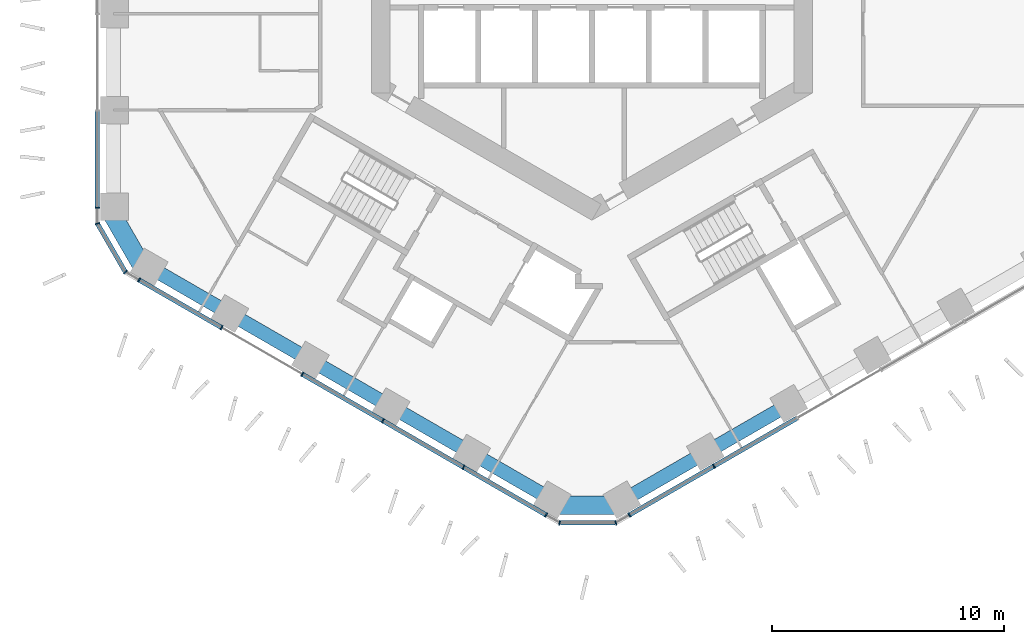
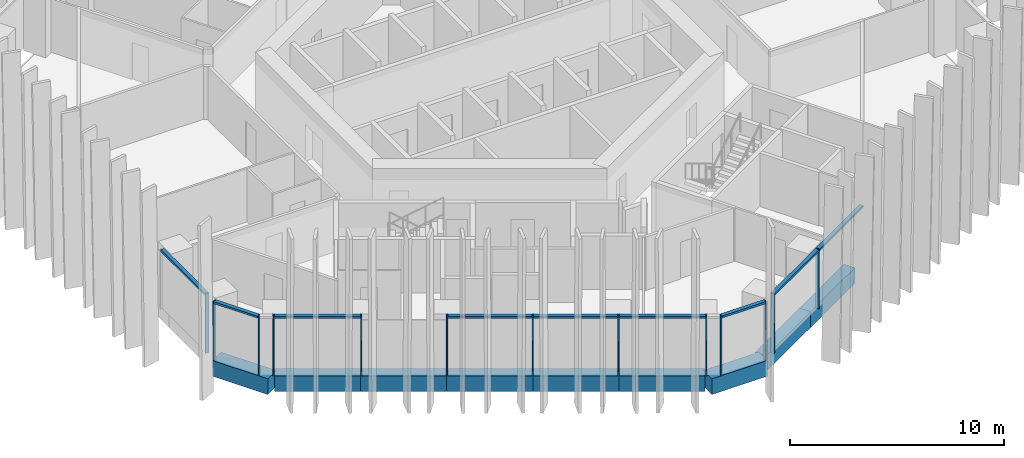
# One storey, part 2 of 20: 19 members, 9 beams, 5 elements without a shape of their own.
"""IFC4 building model written with IfcOpenShell, lengths in metres."""

from ifc_helpers import new_model, si_unit, direction, frame, origin, origin_2d, place, context, subcontext, project, spatial, rectangle, extrude, material, layer, layer_set, material_profile, profile_set, type_object, element, aggregate, save


model = new_model("IFC4")

# Units and contexts
model_context = context("Model", 3, precision=1e-05, world=origin(), true_north=direction((0.0, 1.0)))
body_context = subcontext(model_context, "Body", "Model", "MODEL_VIEW")
ifc_project = project(units=[si_unit("LENGTHUNIT", "METRE"), si_unit("AREAUNIT", "SQUARE_METRE"), si_unit("VOLUMEUNIT", "CUBIC_METRE"), si_unit("PLANEANGLEUNIT", "RADIAN"), si_unit("MASSUNIT", "GRAM", prefix="KILO")], contexts=[model_context])

# Site, building, storey
site_placement = place(None, origin())
site = spatial("IfcSite", under=ifc_project, at=site_placement, CompositionType="ELEMENT")
building_placement = place(site_placement, origin())
building = spatial("IfcBuilding", under=site, at=building_placement, Name="Ayvan Gate Tower", CompositionType="ELEMENT")
storey_placement = place(building_placement, frame((0.0, 0.0, 35.699951171875)))
storey = spatial("IfcBuildingStorey", under=building, at=storey_placement, Name="L08", CompositionType="ELEMENT", Elevation=35.699951171875)

# Beams
ifc_material_1 = material(Name="Concrete C40/50", Category="concrete")
ifc_material_profile_1 = material_profile(ifc_material_1, rectangle(XDim=0.800048828125, YDim=0.89990234375, at=origin_2d()), Name="RC 800x900")
ifc_profile_set_1 = profile_set([ifc_material_profile_1], Name="Concrete C40/50")
beam_type_1 = type_object("IfcBeamType", Name="Corner spandrel beam RC 800x900 C40/50", PredefinedType="BEAM", material=ifc_profile_set_1)
for number, where, z_axis, x_axis, name in (
    (1, (-20.81103515625, -10.47265625, -0.800048828125), (0.499990139034, -0.866031096941, 0.0), (0.866031096941, 0.499990139034, 0.0), "SB-L08-24"),
    (2, (-1.6640625, -23.25927734375, -0.800048828125), (1.0, 0.0, 0.0), (0.0, 1.0, 0.0), "SB-L08-30"),
):
    element("IfcBeam", number, at=place(storey_placement, frame(where, z_axis=z_axis, x_axis=x_axis)), inside=storey, type_object=beam_type_1, Name=name, PredefinedType="BEAM", context=body_context, shape_type="SweptSolid", body=[
        extrude(rectangle(XDim=0.800048828125, YDim=0.89990234375, at=origin_2d()), origin(), (0.0, 0.0, 1.0), 3.0),
    ])
ifc_material_profile_2 = material_profile(ifc_material_1, rectangle(XDim=0.60009765625, YDim=0.89990234375, at=origin_2d()), Name="RC 600x900")
ifc_profile_set_2 = profile_set([ifc_material_profile_2], Name="Concrete C40/50")
beam_type_2 = type_object("IfcBeamType", Name="Spandrel beam RC 600x900 C40/50", PredefinedType="BEAM", material=ifc_profile_set_2)
beam_1_placement = place(storey_placement, frame((-19.12060546875, -12.960693359375, -0.800048828125), z_axis=(0.866017175291, -0.500014251897, 0.0), x_axis=(0.500014251897, 0.866017175291, 0.0)))
element("IfcBeam", 3, at=beam_1_placement, inside=storey, type_object=beam_type_2, Name="SB-L08-25", PredefinedType="BEAM", context=body_context, shape_type="SweptSolid", body=[
    extrude(rectangle(XDim=0.60009765625, YDim=0.89990234375, at=origin_2d()), origin(), (0.0, 0.0, 1.0), 4.03173828125),
])
for number, where, z_axis, x_axis, name in (
    (4, (-15.629150390625, -14.9765625, -0.800048828125), (0.866028258222, -0.499995055936, 0.0), (0.499995055936, 0.866028258222, 0.0), "SB-L08-26"),
    (5, (-12.137939453125, -16.9921875, -0.800048828125), (0.866028258222, -0.499995055936, 0.0), (0.499995055936, 0.866028258222, 0.0), "SB-L08-27"),
):
    element("IfcBeam", number, at=place(storey_placement, frame(where, z_axis=z_axis, x_axis=x_axis)), inside=storey, type_object=beam_type_2, Name=name, PredefinedType="BEAM", context=body_context, shape_type="SweptSolid", body=[
        extrude(rectangle(XDim=0.60009765625, YDim=0.89990234375, at=origin_2d()), origin(), (0.0, 0.0, 1.0), 4.03125),
    ])
for number, where, z_axis, x_axis, name in (
    (6, (-8.646728515625, -19.0078125, -0.800048828125), (0.866043397086, -0.499968833392, 0.0), (0.499968833392, 0.866043397086, 0.0), "SB-L08-28"),
    (7, (-5.1552734375, -21.0234375, -0.800048828125), (0.866002034136, -0.500040475235, 0.0), (0.500040475235, 0.866002034136, 0.0), "SB-L08-29"),
):
    element("IfcBeam", number, at=place(storey_placement, frame(where, z_axis=z_axis, x_axis=x_axis)), inside=storey, type_object=beam_type_2, Name=name, PredefinedType="BEAM", context=body_context, shape_type="SweptSolid", body=[
        extrude(rectangle(XDim=0.60009765625, YDim=0.89990234375, at=origin_2d()), origin(), (0.0, 0.0, 1.0), 4.031494140625),
    ])
beam_2_placement = place(storey_placement, frame((1.3359375, -23.039306640625, -0.800048828125), z_axis=(0.866034543039, 0.499984170012, 0.0), x_axis=(-0.499984170012, 0.866034543039, 0.0)))
element("IfcBeam", 8, at=beam_2_placement, inside=storey, type_object=beam_type_2, Name="SB-L08-31", PredefinedType="BEAM", context=body_context, shape_type="SweptSolid", body=[
    extrude(rectangle(XDim=0.60009765625, YDim=0.89990234375, at=origin_2d()), origin(), (0.0, 0.0, 1.0), 4.145263671875),
])
beam_3_placement = place(storey_placement, frame((4.92578125, -20.966796875, -0.800048828125), z_axis=(0.866019818373, 0.500009674092, 0.0), x_axis=(-0.500009674092, 0.866019818373, 0.0)))
element("IfcBeam", 9, at=beam_3_placement, inside=storey, type_object=beam_type_2, Name="SB-L08-32", PredefinedType="BEAM", context=body_context, shape_type="SweptSolid", body=[
    extrude(rectangle(XDim=0.60009765625, YDim=0.89990234375, at=origin_2d()), origin(), (0.0, 0.0, 1.0), 4.14501953125),
])

# Curtain wall, member
ifc_material_2 = material(Name="Bronze anodised aluminium", Category="aluminium")
ifc_layer_1 = layer(ifc_material_2, 0.199951171875)
ifc_layer_set_1 = layer_set([ifc_layer_1], Name="Bronze anodised aluminium")
curtain_wall_type_1 = type_object("IfcCurtainWallType", Name="Stick curtain wall CW-1", PredefinedType="NOTDEFINED", material=ifc_layer_set_1)
curtain_wall_1_placement = place(storey_placement, origin())
curtain_wall_1 = element("IfcCurtainWall", 10, at=curtain_wall_1_placement, inside=storey, type_object=curtain_wall_type_1, Name="Stick curtain wall CW-1 L08", PredefinedType="NOTDEFINED")
ifc_material_profile_3 = material_profile(ifc_material_2, rectangle(XDim=0.199951171875, YDim=0.06005859375, at=origin_2d()), Name="Stick curtain wall CW-1 mullion 200 x 60")
ifc_profile_set_3 = profile_set([ifc_material_profile_3], Name="Bronze anodised aluminium")
member_type_1 = type_object("IfcMemberType", Name="Stick curtain wall CW-1 mullion 200 x 60", PredefinedType="MULLION", material=ifc_profile_set_3)
member_1_placement = place(storey_placement, frame((-21.306640625, -10.432861328125, 0.0), z_axis=(0.0, 0.0, 1.0), x_axis=(-1.0, 0.0, 0.0)))
member_1 = element("IfcMember", 11, at=member_1_placement, type_object=member_type_1, Name="CW-1 mullion 6", PredefinedType="MULLION", context=body_context, shape_type="SweptSolid", body=[
    extrude(rectangle(XDim=0.199951171875, YDim=0.06005859375, at=origin_2d()), origin(), (0.0, 0.0, 1.0), 3.400146484375),
])

# Curtain wall, members
curtain_wall_2_placement = place(storey_placement, origin())
curtain_wall_2 = element("IfcCurtainWall", 12, at=curtain_wall_2_placement, inside=storey, type_object=curtain_wall_type_1, Name="Stick curtain wall CW-1 L08", PredefinedType="NOTDEFINED")
member_2_placement = place(storey_placement, frame((-19.510498046875, -13.5439453125, 0.0), z_axis=(0.0, 0.0, 1.0), x_axis=(-0.5, -0.866025403784, 0.0)))
member_2 = element("IfcMember", 13, at=member_2_placement, type_object=member_type_1, Name="CW-1 mullion 1", PredefinedType="MULLION", context=body_context, shape_type="SweptSolid", body=[
    extrude(rectangle(XDim=0.199951171875, YDim=0.06005859375, at=origin_2d()), origin(), (0.0, 0.0, 1.0), 3.400146484375),
])
member_3_placement = place(storey_placement, frame((-15.952880859375, -15.597900390625, 0.0), z_axis=(0.0, 0.0, 1.0), x_axis=(-0.5, -0.866025403784, 0.0)))
member_3 = element("IfcMember", 14, at=member_3_placement, type_object=member_type_1, Name="CW-1 mullion 2", PredefinedType="MULLION", context=body_context, shape_type="SweptSolid", body=[
    extrude(rectangle(XDim=0.199951171875, YDim=0.06005859375, at=origin_2d()), origin(), (0.0, 0.0, 1.0), 3.400146484375),
])
member_4_placement = place(storey_placement, frame((-12.479248046875, -17.603515625, 0.0), z_axis=(0.0, 0.0, 1.0), x_axis=(-0.5, -0.866025403784, 0.0)))
member_4 = element("IfcMember", 15, at=member_4_placement, type_object=member_type_1, Name="CW-1 mullion 3", PredefinedType="MULLION", context=body_context, shape_type="SweptSolid", body=[
    extrude(rectangle(XDim=0.199951171875, YDim=0.06005859375, at=origin_2d()), origin(), (0.0, 0.0, 1.0), 3.400146484375),
])
member_5_placement = place(storey_placement, frame((-9.005615234375, -19.60888671875, 0.0), z_axis=(0.0, 0.0, 1.0), x_axis=(-0.5, -0.866025403784, 0.0)))
member_5 = element("IfcMember", 16, at=member_5_placement, type_object=member_type_1, Name="CW-1 mullion 4", PredefinedType="MULLION", context=body_context, shape_type="SweptSolid", body=[
    extrude(rectangle(XDim=0.199951171875, YDim=0.06005859375, at=origin_2d()), origin(), (0.0, 0.0, 1.0), 3.400146484375),
])
member_6_placement = place(storey_placement, frame((-5.531982421875, -21.614501953125, 0.0), z_axis=(0.0, 0.0, 1.0), x_axis=(-0.5, -0.866025403784, 0.0)))
member_6 = element("IfcMember", 17, at=member_6_placement, type_object=member_type_1, Name="CW-1 mullion 5", PredefinedType="MULLION", context=body_context, shape_type="SweptSolid", body=[
    extrude(rectangle(XDim=0.199951171875, YDim=0.06005859375, at=origin_2d()), origin(), (0.0, 0.0, 1.0), 3.400146484375),
])
member_7_placement = place(storey_placement, frame((-1.97412109375, -23.66845703125, 0.0), z_axis=(0.0, 0.0, 1.0), x_axis=(-0.5, -0.866025403784, 0.0)))
member_7 = element("IfcMember", 18, at=member_7_placement, type_object=member_type_1, Name="CW-1 mullion 6", PredefinedType="MULLION", context=body_context, shape_type="SweptSolid", body=[
    extrude(rectangle(XDim=0.199951171875, YDim=0.06005859375, at=origin_2d()), origin(), (0.0, 0.0, 1.0), 3.400146484375),
])

curtain_wall_3_placement = place(storey_placement, origin())
curtain_wall_3 = element("IfcCurtainWall", 19, at=curtain_wall_3_placement, inside=storey, type_object=curtain_wall_type_1, Name="Stick curtain wall CW-1 L08", PredefinedType="NOTDEFINED")
member_8_placement = place(storey_placement, frame((1.6181640625, -23.66845703125, 0.0), z_axis=(0.0, 0.0, 1.0), x_axis=(0.5, -0.866025403784, 0.0)))
member_8 = element("IfcMember", 20, at=member_8_placement, type_object=member_type_1, Name="CW-1 mullion 1", PredefinedType="MULLION", context=body_context, shape_type="SweptSolid", body=[
    extrude(rectangle(XDim=0.199951171875, YDim=0.06005859375, at=origin_2d()), origin(), (0.0, 0.0, 1.0), 3.400146484375),
])
member_9_placement = place(storey_placement, frame((5.25537109375, -21.568359375, 0.0), z_axis=(0.0, 0.0, 1.0), x_axis=(0.5, -0.866025403784, 0.0)))
member_9 = element("IfcMember", 21, at=member_9_placement, type_object=member_type_1, Name="CW-1 mullion 2", PredefinedType="MULLION", context=body_context, shape_type="SweptSolid", body=[
    extrude(rectangle(XDim=0.199951171875, YDim=0.06005859375, at=origin_2d()), origin(), (0.0, 0.0, 1.0), 3.400146484375),
])

# Member
ifc_material_profile_4 = material_profile(ifc_material_2, rectangle(XDim=0.199951171875, YDim=0.1201171875, at=origin_2d()), Name="Stick curtain wall CW-1 transom 200 x 120")
ifc_profile_set_4 = profile_set([ifc_material_profile_4], Name="Bronze anodised aluminium")
member_type_2 = type_object("IfcMemberType", Name="Stick curtain wall CW-1 transom 200 x 120", PredefinedType="USERDEFINED", material=ifc_profile_set_4)
member_10_placement = place(storey_placement, frame((-21.306640625, -6.26318359375, 3.340087890625), z_axis=(0.0, -1.0, 0.0), x_axis=(1.0, 0.0, 0.0)))
member_10 = element("IfcMember", 22, at=member_10_placement, type_object=member_type_2, Name="CW-1 transom 2", ObjectType="TRANSOM", PredefinedType="USERDEFINED", context=body_context, shape_type="SweptSolid", body=[
    extrude(rectangle(XDim=0.199951171875, YDim=0.1201171875, at=origin_2d()), origin(), (0.0, 0.0, 1.0), 4.169677734375),
])

aggregate(curtain_wall_1, [member_1, member_10])

member_11_placement = place(storey_placement, frame((-19.510498046875, -13.5439453125, 3.340087890625), z_axis=(0.866024081565, -0.500002290144, 0.0), x_axis=(0.500002290144, 0.866024081565, 0.0)))
member_11 = element("IfcMember", 23, at=member_11_placement, type_object=member_type_2, Name="CW-1 transom 1", ObjectType="TRANSOM", PredefinedType="USERDEFINED", context=body_context, shape_type="SweptSolid", body=[
    extrude(rectangle(XDim=0.199951171875, YDim=0.1201171875, at=origin_2d()), origin(), (0.0, 0.0, 1.0), 4.078125),
])

member_12_placement = place(storey_placement, frame((-12.453125, -17.618408203125, 3.340087890625), z_axis=(0.866025650635, -0.499999572443, 0.0), x_axis=(0.499999572443, 0.866025650635, 0.0)))
member_12 = element("IfcMember", 24, at=member_12_placement, type_object=member_type_2, Name="CW-1 transom 2", ObjectType="TRANSOM", PredefinedType="USERDEFINED", context=body_context, shape_type="SweptSolid", body=[
    extrude(rectangle(XDim=0.199951171875, YDim=0.1201171875, at=origin_2d()), origin(), (0.0, 0.0, 1.0), 12.10009765625),
])

aggregate(curtain_wall_2, [member_2, member_3, member_4, member_5, member_6, member_7, member_11, member_12])

member_13_placement = place(storey_placement, frame((1.6181640625, -23.66845703125, 3.340087890625), z_axis=(0.866021985329, 0.500005920892, 0.0), x_axis=(-0.500005920892, 0.866021985329, 0.0)))
member_13 = element("IfcMember", 25, at=member_13_placement, type_object=member_type_2, Name="CW-1 transom 1", ObjectType="TRANSOM", PredefinedType="USERDEFINED", context=body_context, shape_type="SweptSolid", body=[
    extrude(rectangle(XDim=0.199951171875, YDim=0.1201171875, at=origin_2d()), origin(), (0.0, 0.0, 1.0), 8.3251953125),
])

aggregate(curtain_wall_3, [member_8, member_9, member_13])

# Curtain wall, members
ifc_layer_2 = layer(ifc_material_2, 0.199951171875)
ifc_layer_set_2 = layer_set([ifc_layer_2], Name="Bronze anodised aluminium")
curtain_wall_type_2 = type_object("IfcCurtainWallType", Name="Stick curtain wall CW-6", PredefinedType="NOTDEFINED", material=ifc_layer_set_2)
curtain_wall_4_placement = place(storey_placement, origin())
curtain_wall_4 = element("IfcCurtainWall", 26, at=curtain_wall_4_placement, inside=storey, type_object=curtain_wall_type_2, Name="Stick curtain wall CW-6 L08", PredefinedType="NOTDEFINED")
ifc_material_profile_5 = material_profile(ifc_material_2, rectangle(XDim=0.199951171875, YDim=0.050048828125, at=origin_2d()), Name="Stick curtain wall CW-6 mullion 200 x 50")
ifc_profile_set_5 = profile_set([ifc_material_profile_5], Name="Bronze anodised aluminium")
member_type_3 = type_object("IfcMemberType", Name="Stick curtain wall CW-6 mullion 200 x 50", PredefinedType="MULLION", material=ifc_profile_set_5)
member_14_placement = place(storey_placement, frame((-21.306640625, -11.11279296875, 0.0), z_axis=(0.0, 0.0, 1.0), x_axis=(-0.965925826289, -0.258819045103, 0.0)))
member_14 = element("IfcMember", 27, at=member_14_placement, type_object=member_type_3, Name="CW-6 mullion 2", PredefinedType="MULLION", context=body_context, shape_type="SweptSolid", body=[
    extrude(rectangle(XDim=0.199951171875, YDim=0.050048828125, at=origin_2d()), origin(), (0.0, 0.0, 1.0), 3.400146484375),
])
member_15_placement = place(storey_placement, frame((-20.099365234375, -13.203857421875, 0.0), z_axis=(0.0, 0.0, 1.0), x_axis=(-0.707106781187, -0.707106781187, 0.0)))
member_15 = element("IfcMember", 28, at=member_15_placement, type_object=member_type_3, Name="CW-6 mullion 3", PredefinedType="MULLION", context=body_context, shape_type="SweptSolid", body=[
    extrude(rectangle(XDim=0.199951171875, YDim=0.050048828125, at=origin_2d()), origin(), (0.0, 0.0, 1.0), 3.400146484375),
])

curtain_wall_5_placement = place(storey_placement, origin())
curtain_wall_5 = element("IfcCurtainWall", 29, at=curtain_wall_5_placement, inside=storey, type_object=curtain_wall_type_2, Name="Stick curtain wall CW-6 L08", PredefinedType="NOTDEFINED")
member_16_placement = place(storey_placement, frame((-1.38525390625, -24.008544921875, 0.0), z_axis=(0.0, 0.0, 1.0), x_axis=(-0.258819045103, -0.965925826289, 0.0)))
member_16 = element("IfcMember", 30, at=member_16_placement, type_object=member_type_3, Name="CW-6 mullion 2", PredefinedType="MULLION", context=body_context, shape_type="SweptSolid", body=[
    extrude(rectangle(XDim=0.199951171875, YDim=0.050048828125, at=origin_2d()), origin(), (0.0, 0.0, 1.0), 3.400146484375),
])
member_17_placement = place(storey_placement, frame((1.029296875, -24.008544921875, 0.0), z_axis=(0.0, 0.0, 1.0), x_axis=(0.258819045103, -0.965925826289, 0.0)))
member_17 = element("IfcMember", 31, at=member_17_placement, type_object=member_type_3, Name="CW-6 mullion 3", PredefinedType="MULLION", context=body_context, shape_type="SweptSolid", body=[
    extrude(rectangle(XDim=0.199951171875, YDim=0.050048828125, at=origin_2d()), origin(), (0.0, 0.0, 1.0), 3.400146484375),
])

# Member
ifc_material_profile_6 = material_profile(ifc_material_2, rectangle(XDim=0.199951171875, YDim=0.1201171875, at=origin_2d()), Name="Stick curtain wall CW-6 transom 200 x 120")
ifc_profile_set_6 = profile_set([ifc_material_profile_6], Name="Bronze anodised aluminium")
member_type_4 = type_object("IfcMemberType", Name="Stick curtain wall CW-6 transom 200 x 120", PredefinedType="USERDEFINED", material=ifc_profile_set_6)
member_18_placement = place(storey_placement, frame((-21.294189453125, -11.134521484375, 3.340087890625), z_axis=(0.500014398087, -0.866017090885, 0.0), x_axis=(0.866017090885, 0.500014398087, 0.0)))
member_18 = element("IfcMember", 32, at=member_18_placement, type_object=member_type_4, Name="CW-6 transom 2", ObjectType="TRANSOM", PredefinedType="USERDEFINED", context=body_context, shape_type="SweptSolid", body=[
    extrude(rectangle(XDim=0.199951171875, YDim=0.1201171875, at=origin_2d()), origin(), (0.0, 0.0, 1.0), 2.36474609375),
])

aggregate(curtain_wall_4, [member_14, member_15, member_18])

member_19_placement = place(storey_placement, frame((-1.3603515625, -24.008544921875, 3.340087890625), z_axis=(1.0, 0.0, 0.0), x_axis=(0.0, 1.0, 0.0)))
member_19 = element("IfcMember", 33, at=member_19_placement, type_object=member_type_4, Name="CW-6 transom 2", ObjectType="TRANSOM", PredefinedType="USERDEFINED", context=body_context, shape_type="SweptSolid", body=[
    extrude(rectangle(XDim=0.199951171875, YDim=0.1201171875, at=origin_2d()), origin(), (0.0, 0.0, 1.0), 2.364501953125),
])

aggregate(curtain_wall_5, [member_16, member_17, member_19])

save(model, "model.ifc")
